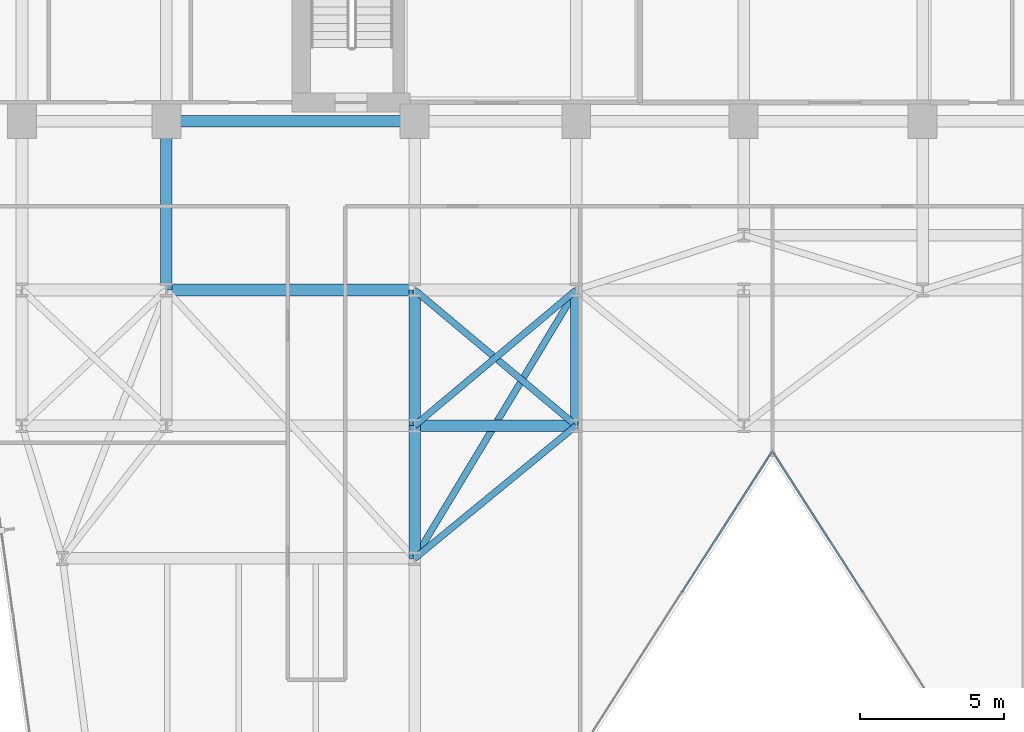
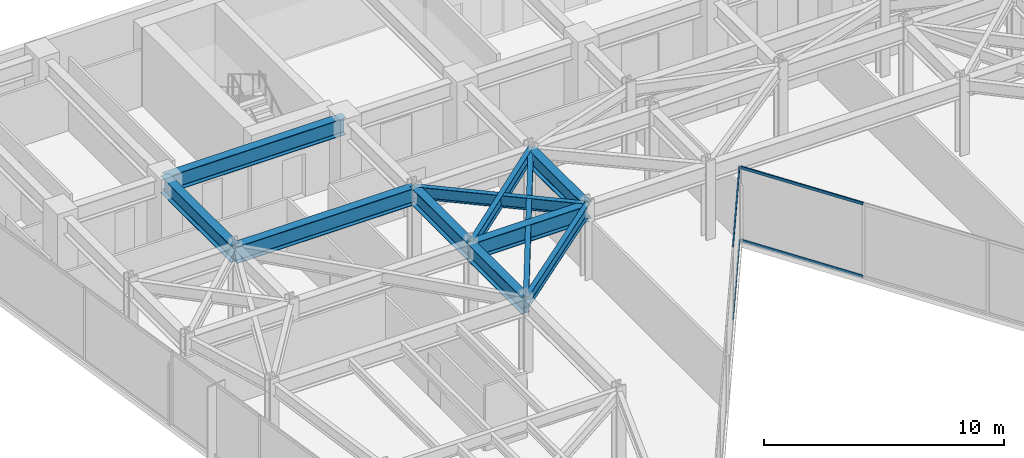
# One storey, part 12 of 26: 11 beams, 4 members, 2 elements without a shape of their own.
"""IFC4 building model written with IfcOpenShell, lengths in metres."""

from ifc_helpers import new_model, si_unit, direction, frame, origin, origin_2d, place, context, subcontext, project, spatial, hollow_rectangle, i_section, extrude, material, layer, layer_set, material_profile, profile_set, type_object, element, aggregate, save


model = new_model("IFC4")

# Units and contexts
model_context = context("Model", 3, precision=1e-05, world=origin(), true_north=direction((0.0, 1.0)))
body_context = subcontext(model_context, "Body", "Model", "MODEL_VIEW")
ifc_project = project(units=[si_unit("LENGTHUNIT", "METRE"), si_unit("AREAUNIT", "SQUARE_METRE"), si_unit("VOLUMEUNIT", "CUBIC_METRE"), si_unit("PLANEANGLEUNIT", "RADIAN"), si_unit("MASSUNIT", "GRAM", prefix="KILO")], contexts=[model_context])

# Site, building, storey
site_placement = place(None, origin())
site = spatial("IfcSite", under=ifc_project, at=site_placement, CompositionType="ELEMENT")
building_placement = place(site_placement, origin())
building = spatial("IfcBuilding", under=site, at=building_placement, Name="Kravanh Interchange Tower", CompositionType="ELEMENT")
storey_placement = place(building_placement, frame((0.0, 0.0, 116.0)))
storey = spatial("IfcBuildingStorey", under=building, at=storey_placement, Name="L27", CompositionType="ELEMENT", Elevation=116.0)

# Curtain wall, members
ifc_material_1 = material(Name="Anodised Bronze Aluminium", Category="aluminium")
ifc_layer = layer(ifc_material_1, 0.179931640625)
ifc_layer_set = layer_set([ifc_layer], Name="Unitised Curtain Wall System CW-Z2 Mid Office")
curtain_wall_type = type_object("IfcCurtainWallType", Name="Unitised Curtain Wall System CW-Z2 Mid Office", PredefinedType="NOTDEFINED", material=ifc_layer_set)
curtain_wall_1_placement = place(storey_placement, origin())
curtain_wall_1 = element("IfcCurtainWall", 1, at=curtain_wall_1_placement, inside=storey, type_object=curtain_wall_type, Name="L27 Unitised Curtain Wall CW-L27-04", PredefinedType="NOTDEFINED")
ifc_material_2 = material(Name="Anodised Bronze Aluminium", Category="aluminium")
ifc_material_profile_1 = material_profile(ifc_material_2, hollow_rectangle(XDim=0.06005859375, YDim=0.139892578125, WallThickness=0.00390625, at=origin_2d()), Name="ALU60X140X4")
ifc_profile_set_1 = profile_set([ifc_material_profile_1], Name="Anodised Bronze Aluminium")
member_type = type_object("IfcMemberType", Name="Curtain Wall Transom ALU60X140X4 Bronze", PredefinedType="USERDEFINED", material=ifc_profile_set_1)
member_1_placement = place(storey_placement, frame((42.72509765625, 21.047119140625, 0.030029296875), z_axis=(-0.53966766312, 0.841878146398, 0.0), x_axis=(-0.841878146398, -0.53966766312, 0.0)))
member_1 = element("IfcMember", 2, at=member_1_placement, type_object=member_type, Name="CW-Z2 transom 4.1", ObjectType="TRANSOM", PredefinedType="USERDEFINED", context=body_context, shape_type="SweptSolid", body=[
    extrude(hollow_rectangle(XDim=0.06005859375, YDim=0.139892578125, WallThickness=0.00390625, at=origin_2d()), origin(), (0.0, 0.0, 1.0), 5.73095703125),
])
member_2_placement = place(storey_placement, frame((42.72509765625, 21.047119140625, 3.719970703125), z_axis=(-0.53966766312, 0.841878146398, 0.0), x_axis=(-0.841878146398, -0.53966766312, 0.0)))
member_2 = element("IfcMember", 3, at=member_2_placement, type_object=member_type, Name="CW-Z2 transom 4.2", ObjectType="TRANSOM", PredefinedType="USERDEFINED", context=body_context, shape_type="SweptSolid", body=[
    extrude(hollow_rectangle(XDim=0.06005859375, YDim=0.139892578125, WallThickness=0.00390625, at=origin_2d()), origin(), (0.0, 0.0, 1.0), 5.73095703125),
])
aggregate(curtain_wall_1, [member_1, member_2])

curtain_wall_2_placement = place(storey_placement, origin())
curtain_wall_2 = element("IfcCurtainWall", 4, at=curtain_wall_2_placement, inside=storey, type_object=curtain_wall_type, Name="L27 Unitised Curtain Wall CW-L27-05", PredefinedType="NOTDEFINED")
member_3_placement = place(storey_placement, frame((39.567626953125, 25.871826171875, 0.030029296875), z_axis=(-0.53966766312, -0.841878146398, 0.0), x_axis=(0.841878146398, -0.53966766312, 0.0)))
member_3 = element("IfcMember", 5, at=member_3_placement, type_object=member_type, Name="CW-Z2 transom 1.1", ObjectType="TRANSOM", PredefinedType="USERDEFINED", context=body_context, shape_type="SweptSolid", body=[
    extrude(hollow_rectangle(XDim=0.06005859375, YDim=0.139892578125, WallThickness=0.00390625, at=origin_2d()), origin(), (0.0, 0.0, 1.0), 5.73095703125),
])
member_4_placement = place(storey_placement, frame((39.567626953125, 25.871826171875, 3.719970703125), z_axis=(-0.53966766312, -0.841878146398, 0.0), x_axis=(0.841878146398, -0.53966766312, 0.0)))
member_4 = element("IfcMember", 6, at=member_4_placement, type_object=member_type, Name="CW-Z2 transom 1.2", ObjectType="TRANSOM", PredefinedType="USERDEFINED", context=body_context, shape_type="SweptSolid", body=[
    extrude(hollow_rectangle(XDim=0.06005859375, YDim=0.139892578125, WallThickness=0.00390625, at=origin_2d()), origin(), (0.0, 0.0, 1.0), 5.73095703125),
])
aggregate(curtain_wall_2, [member_3, member_4])

# Beams
ifc_material_3 = material(Name="Structural Steel S355", Category="steel")
ifc_material_profile_2 = material_profile(ifc_material_3, i_section(OverallWidth=0.39990234375, OverallDepth=0.85595703125, WebThickness=0.018310546875, FlangeThickness=0.029296875, FilletRadius=0.02490234375, at=origin_2d()), Name="W33X201")
ifc_profile_set_2 = profile_set([ifc_material_profile_2], Name="Structural Steel S355")
beam_type_1 = type_object("IfcBeamType", Name="Floor Beam W33X201 Structural Steel S355", PredefinedType="BEAM", material=ifc_profile_set_2)
beam_1_placement = place(storey_placement, frame((27.199951171875, 37.35009765625, 3.322021484375), z_axis=(-1.0, 0.0, 0.0), x_axis=(0.0, -1.0, 0.0)))
element("IfcBeam", 7, at=beam_1_placement, inside=storey, type_object=beam_type_1, Name="L27 Primary Floor Girder 25", PredefinedType="BEAM", context=body_context, shape_type="SweptSolid", body=[
    extrude(i_section(OverallWidth=0.39990234375, OverallDepth=0.85595703125, WebThickness=0.018310546875, FlangeThickness=0.029296875, FilletRadius=0.02490234375, at=origin_2d()), origin(), (0.0, 0.0, 1.0), 8.599853515625),
])
beam_2_placement = place(storey_placement, frame((18.60009765625, 37.35009765625, 3.322021484375), z_axis=(0.0, -1.0, 0.0), x_axis=(1.0, 0.0, 0.0)))
element("IfcBeam", 8, at=beam_2_placement, inside=storey, type_object=beam_type_1, Name="L27 Primary Floor Girder 29", PredefinedType="BEAM", context=body_context, shape_type="SweptSolid", body=[
    extrude(i_section(OverallWidth=0.39990234375, OverallDepth=0.85595703125, WebThickness=0.018310546875, FlangeThickness=0.029296875, FilletRadius=0.02490234375, at=origin_2d()), origin(), (0.0, 0.0, 1.0), 5.85009765625),
])
beam_3_placement = place(storey_placement, frame((27.199951171875, 26.800048828125, 3.322021484375), z_axis=(0.0, -1.0, 0.0), x_axis=(1.0, 0.0, 0.0)))
element("IfcBeam", 9, at=beam_3_placement, inside=storey, type_object=beam_type_1, Name="L27 Primary Floor Girder 45", PredefinedType="BEAM", context=body_context, shape_type="SweptSolid", body=[
    extrude(i_section(OverallWidth=0.39990234375, OverallDepth=0.85595703125, WebThickness=0.018310546875, FlangeThickness=0.029296875, FilletRadius=0.02490234375, at=origin_2d()), origin(), (0.0, 0.0, 1.0), 4.60009765625),
])
beam_4_placement = place(storey_placement, frame((27.199951171875, 26.800048828125, 3.322021484375), z_axis=(0.0, 1.0, 0.0), x_axis=(-1.0, 0.0, 0.0)))
element("IfcBeam", 10, at=beam_4_placement, inside=storey, type_object=beam_type_1, Name="L27 Primary Floor Girder 46", PredefinedType="BEAM", context=body_context, shape_type="SweptSolid", body=[
    extrude(i_section(OverallWidth=0.39990234375, OverallDepth=0.85595703125, WebThickness=0.018310546875, FlangeThickness=0.029296875, FilletRadius=0.02490234375, at=origin_2d()), origin(), (0.0, 0.0, 1.0), 4.699951171875),
])
beam_5_placement = place(storey_placement, frame((27.199951171875, 26.800048828125, 3.322021484375), z_axis=(1.0, 0.0, 0.0), x_axis=(0.0, 1.0, 0.0)))
element("IfcBeam", 11, at=beam_5_placement, inside=storey, type_object=beam_type_1, Name="L27 Primary Floor Girder 47", PredefinedType="BEAM", context=body_context, shape_type="SweptSolid", body=[
    extrude(i_section(OverallWidth=0.39990234375, OverallDepth=0.85595703125, WebThickness=0.018310546875, FlangeThickness=0.029296875, FilletRadius=0.02490234375, at=origin_2d()), origin(), (0.0, 0.0, 1.0), 5.60009765625),
])
beam_6_placement = place(storey_placement, frame((32.800048828125, 26.800048828125, 3.322021484375), z_axis=(0.0, 1.0, 0.0), x_axis=(-1.0, 0.0, 0.0)))
element("IfcBeam", 12, at=beam_6_placement, inside=storey, type_object=beam_type_1, Name="L27 Primary Floor Girder 49", PredefinedType="BEAM", context=body_context, shape_type="SweptSolid", body=[
    extrude(i_section(OverallWidth=0.39990234375, OverallDepth=0.85595703125, WebThickness=0.018310546875, FlangeThickness=0.029296875, FilletRadius=0.02490234375, at=origin_2d()), origin(), (0.0, 0.0, 1.0), 4.699951171875),
])
beam_7_placement = place(storey_placement, frame((18.60009765625, 31.5, 3.322021484375), z_axis=(1.0, 0.0, 0.0), x_axis=(0.0, 1.0, 0.0)))
element("IfcBeam", 13, at=beam_7_placement, inside=storey, type_object=beam_type_1, Name="L27 Primary Floor Girder 71", PredefinedType="BEAM", context=body_context, shape_type="SweptSolid", body=[
    extrude(i_section(OverallWidth=0.39990234375, OverallDepth=0.85595703125, WebThickness=0.018310546875, FlangeThickness=0.029296875, FilletRadius=0.02490234375, at=origin_2d()), origin(), (0.0, 0.0, 1.0), 8.599853515625),
])
ifc_material_4 = material(Name="Structural Steel S355", Category="steel")
ifc_material_profile_3 = material_profile(ifc_material_4, i_section(OverallWidth=0.22802734375, OverallDepth=0.60791015625, WebThickness=0.01123046875, FlangeThickness=0.017333984375, FilletRadius=0.02197265625, at=origin_2d()), Name="W24X76")
ifc_profile_set_3 = profile_set([ifc_material_profile_3], Name="Structural Steel S355")
beam_type_2 = type_object("IfcBeamType", Name="Floor Spandrel W24X76 Structural Steel S355", PredefinedType="SPANDREL", material=ifc_profile_set_3)
beam_8_placement = place(storey_placement, frame((27.199951171875, 26.800048828125, 3.446044921875), z_axis=(0.765983062929, 0.642860752657, 0.0), x_axis=(-0.642860752657, 0.765983062929, 0.0)))
element("IfcBeam", 14, at=beam_8_placement, inside=storey, type_object=beam_type_2, Name="L27 Perimeter Spandrel 48", PredefinedType="SPANDREL", context=body_context, shape_type="SweptSolid", body=[
    extrude(i_section(OverallWidth=0.22802734375, OverallDepth=0.60791015625, WebThickness=0.01123046875, FlangeThickness=0.017333984375, FilletRadius=0.02197265625, at=origin_2d()), origin(), (0.0, 0.0, 1.0), 7.31103515625),
])
beam_9_placement = place(storey_placement, frame((32.800048828125, 26.800048828125, 3.446044921875), z_axis=(-0.772725074305, -0.634740860147, 0.0), x_axis=(0.634740860147, -0.772725074305, 0.0)))
element("IfcBeam", 15, at=beam_9_placement, inside=storey, type_object=beam_type_2, Name="L27 Perimeter Spandrel 51", PredefinedType="SPANDREL", context=body_context, shape_type="SweptSolid", body=[
    extrude(i_section(OverallWidth=0.22802734375, OverallDepth=0.60791015625, WebThickness=0.01123046875, FlangeThickness=0.017333984375, FilletRadius=0.02197265625, at=origin_2d()), origin(), (0.0, 0.0, 1.0), 7.247314453125),
])
beam_10_placement = place(storey_placement, frame((32.800048828125, 26.800048828125, 3.446044921875), z_axis=(-0.765983062929, 0.642860752657, 0.0), x_axis=(-0.642860752657, -0.765983062929, 0.0)))
element("IfcBeam", 16, at=beam_10_placement, inside=storey, type_object=beam_type_2, Name="L27 Perimeter Spandrel 52", PredefinedType="SPANDREL", context=body_context, shape_type="SweptSolid", body=[
    extrude(i_section(OverallWidth=0.22802734375, OverallDepth=0.60791015625, WebThickness=0.01123046875, FlangeThickness=0.017333984375, FilletRadius=0.02197265625, at=origin_2d()), origin(), (0.0, 0.0, 1.0), 7.31103515625),
])
beam_11_placement = place(storey_placement, frame((32.800048828125, 31.5, 3.446044921875), z_axis=(-0.515854375109, -0.856676288735, 0.0), x_axis=(0.856676288735, -0.515854375109, 0.0)))
element("IfcBeam", 17, at=beam_11_placement, inside=storey, type_object=beam_type_2, Name="L27 Perimeter Spandrel 80", PredefinedType="SPANDREL", context=body_context, shape_type="SweptSolid", body=[
    extrude(i_section(OverallWidth=0.22802734375, OverallDepth=0.60791015625, WebThickness=0.01123046875, FlangeThickness=0.017333984375, FilletRadius=0.02197265625, at=origin_2d()), origin(), (0.0, 0.0, 1.0), 10.85595703125),
])

save(model, "model.ifc")
